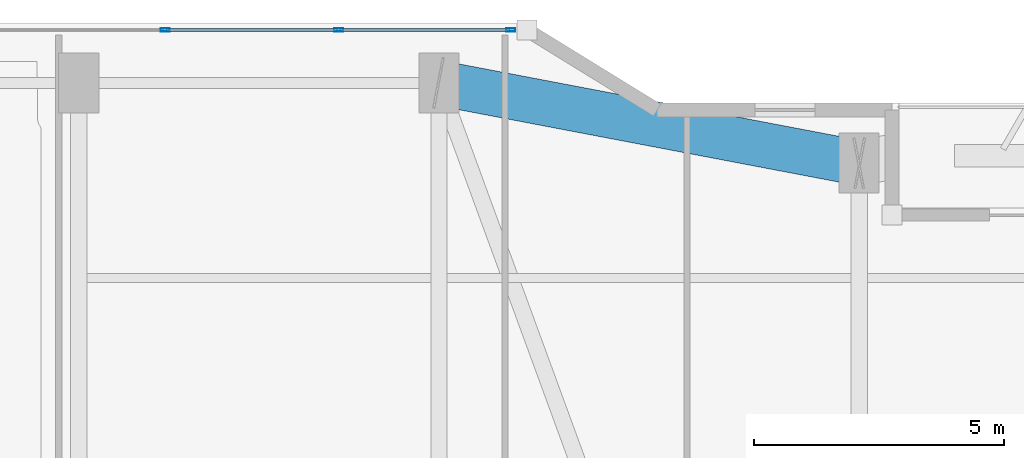
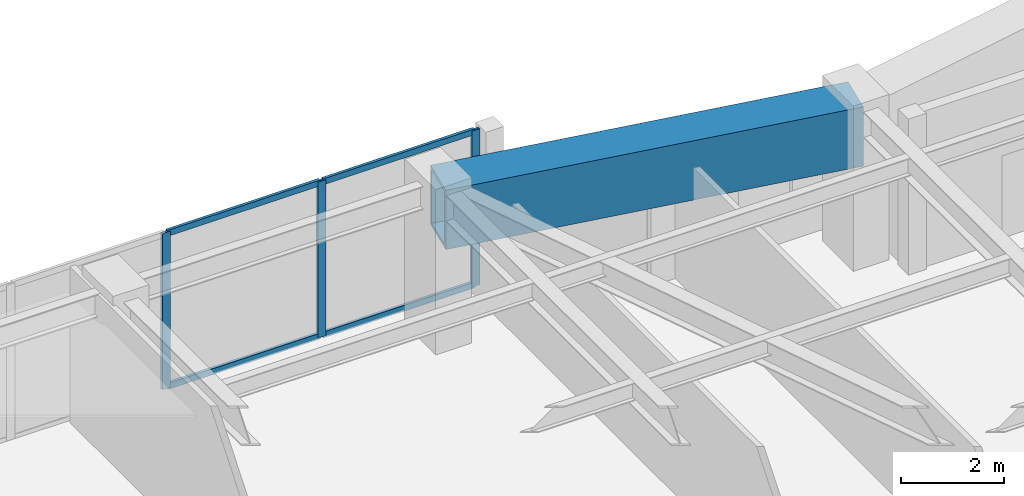
# One storey, part 19 of 30: 7 members, 1 beam, 1 element without a shape of its own.
"""IFC4 building model written with IfcOpenShell, lengths in metres."""

from ifc_helpers import new_model, si_unit, direction, frame, origin, origin_2d, place, context, subcontext, project, spatial, hollow_rectangle, extrude, material, layer, layer_set, material_profile, profile_set, type_object, element, aggregate, save


model = new_model("IFC4")

# Units and contexts
model_context = context("Model", 3, precision=1e-05, world=origin(), true_north=direction((0.0, 1.0)))
body_context = subcontext(model_context, "Body", "Model", "MODEL_VIEW")
ifc_project = project(units=[si_unit("LENGTHUNIT", "METRE"), si_unit("AREAUNIT", "SQUARE_METRE"), si_unit("VOLUMEUNIT", "CUBIC_METRE"), si_unit("PLANEANGLEUNIT", "RADIAN"), si_unit("MASSUNIT", "GRAM", prefix="KILO")], contexts=[model_context])

# Site, building, storey
site_placement = place(None, origin())
site = spatial("IfcSite", under=ifc_project, at=site_placement, CompositionType="ELEMENT")
building_placement = place(site_placement, origin())
building = spatial("IfcBuilding", under=site, at=building_placement, Name="Kiyonajd Concourse Tower", CompositionType="ELEMENT")
storey_placement = place(building_placement, frame((0.0, 0.0, 162.300048828125)))
storey = spatial("IfcBuildingStorey", under=building, at=storey_placement, Name="L41", CompositionType="ELEMENT", Elevation=162.300048828125)

# Beam
ifc_material_1 = material(Name="Steel ASTM A572 Grade 50", Category="steel")
ifc_material_profile_1 = material_profile(ifc_material_1, hollow_rectangle(XDim=0.89990234375, YDim=1.39990234375, WallThickness=0.070068359375, at=origin_2d()), Name="BOX-1400x900x70")
ifc_profile_set_1 = profile_set([ifc_material_profile_1], Name="Steel ASTM A572 Grade 50")
beam_type = type_object("IfcBeamType", Name="BM-XFER-1400", PredefinedType="BEAM", material=ifc_profile_set_1)
beam_placement = place(storey_placement, frame((48.0, 59.60009765625, 2.97998046875), z_axis=(-0.982341315253, 0.187097675953, 0.0), x_axis=(-0.187097675953, -0.982341315253, 0.0)))
element("IfcBeam", 1, at=beam_placement, inside=storey, type_object=beam_type, Name="L41 Perimeter Bundled Tube Spandrel", PredefinedType="BEAM", context=body_context, shape_type="SweptSolid", body=[
    extrude(hollow_rectangle(XDim=0.89990234375, YDim=1.39990234375, WallThickness=0.070068359375, at=origin_2d()), origin(), (0.0, 0.0, 1.0), 8.55078125),
])

# Curtain wall, members
ifc_material_2 = material(Name="Thermally Broken Anodised Aluminium", Category="aluminium")
ifc_layer = layer(ifc_material_2, 0.179931640625)
ifc_layer_set = layer_set([ifc_layer], Name="Thermally Broken Anodised Aluminium")
curtain_wall_type = type_object("IfcCurtainWallType", Name="CW-SYS-03", PredefinedType="NOTDEFINED", material=ifc_layer_set)
curtain_wall_placement = place(storey_placement, origin())
curtain_wall = element("IfcCurtainWall", 2, at=curtain_wall_placement, inside=storey, type_object=curtain_wall_type, Name="L41 Unitised Curtain Wall CW3", PredefinedType="NOTDEFINED")
ifc_material_profile_2 = material_profile(ifc_material_2, hollow_rectangle(XDim=0.06494140625, YDim=0.179931640625, WallThickness=0.00390625, at=origin_2d()), Name="MULL-65x180")
ifc_profile_set_2 = profile_set([ifc_material_profile_2], Name="Thermally Broken Anodised Aluminium")
member_type_1 = type_object("IfcMemberType", Name="MB-CW-MULL1", PredefinedType="MULLION", material=ifc_profile_set_2)
member_1_placement = place(storey_placement, frame((34.12548828125, 62.260009765625, 0.0), z_axis=(0.0, 0.0, 1.0), x_axis=(0.0, 1.0, 0.0)))
member_1 = element("IfcMember", 3, at=member_1_placement, type_object=member_type_1, Name="CW3 mullion 4", PredefinedType="MULLION", context=body_context, shape_type="SweptSolid", body=[
    extrude(hollow_rectangle(XDim=0.06494140625, YDim=0.179931640625, WallThickness=0.00390625, at=origin_2d()), origin(), (0.0, 0.0, 1.0), 3.679931640625),
])
member_2_placement = place(storey_placement, frame((37.597900390625, 62.260009765625, 0.0), z_axis=(0.0, 0.0, 1.0), x_axis=(0.0, 1.0, 0.0)))
member_2 = element("IfcMember", 4, at=member_2_placement, type_object=member_type_1, Name="CW3 mullion 5", PredefinedType="MULLION", context=body_context, shape_type="SweptSolid", body=[
    extrude(hollow_rectangle(XDim=0.06494140625, YDim=0.179931640625, WallThickness=0.00390625, at=origin_2d()), origin(), (0.0, 0.0, 1.0), 3.679931640625),
])
member_3_placement = place(storey_placement, frame((41.037841796875, 62.260009765625, 0.0), z_axis=(0.0, 0.0, 1.0), x_axis=(0.0, 1.0, 0.0)))
member_3 = element("IfcMember", 5, at=member_3_placement, type_object=member_type_1, Name="CW3 mullion 6", PredefinedType="MULLION", context=body_context, shape_type="SweptSolid", body=[
    extrude(hollow_rectangle(XDim=0.06494140625, YDim=0.179931640625, WallThickness=0.00390625, at=origin_2d()), origin(), (0.0, 0.0, 1.0), 3.679931640625),
])
ifc_material_profile_3 = material_profile(ifc_material_2, hollow_rectangle(XDim=0.06494140625, YDim=0.139892578125, WallThickness=0.00390625, at=origin_2d()), Name="TRAN-65x140")
ifc_profile_set_3 = profile_set([ifc_material_profile_3], Name="Thermally Broken Anodised Aluminium")
member_type_2 = type_object("IfcMemberType", Name="MB-CW-TRAN1", PredefinedType="USERDEFINED", material=ifc_profile_set_3)
member_4_placement = place(storey_placement, frame((34.158203125, 62.260009765625, 0.032470703125), z_axis=(1.0, 0.0, 0.0), x_axis=(0.0, 1.0, 0.0)))
member_4 = element("IfcMember", 6, at=member_4_placement, type_object=member_type_2, Name="CW3 transom 4.1", ObjectType="TRANSOM", PredefinedType="USERDEFINED", context=body_context, shape_type="SweptSolid", body=[
    extrude(hollow_rectangle(XDim=0.06494140625, YDim=0.139892578125, WallThickness=0.00390625, at=origin_2d()), origin(), (0.0, 0.0, 1.0), 3.4072265625),
])
member_5_placement = place(storey_placement, frame((34.158203125, 62.260009765625, 3.6474609375), z_axis=(1.0, 0.0, 0.0), x_axis=(0.0, 1.0, 0.0)))
member_5 = element("IfcMember", 7, at=member_5_placement, type_object=member_type_2, Name="CW3 transom 4.2", ObjectType="TRANSOM", PredefinedType="USERDEFINED", context=body_context, shape_type="SweptSolid", body=[
    extrude(hollow_rectangle(XDim=0.06494140625, YDim=0.139892578125, WallThickness=0.00390625, at=origin_2d()), origin(), (0.0, 0.0, 1.0), 3.4072265625),
])
member_6_placement = place(storey_placement, frame((37.630615234375, 62.260009765625, 0.032470703125), z_axis=(1.0, 0.0, 0.0), x_axis=(0.0, 1.0, 0.0)))
member_6 = element("IfcMember", 8, at=member_6_placement, type_object=member_type_2, Name="CW3 transom 5.1", ObjectType="TRANSOM", PredefinedType="USERDEFINED", context=body_context, shape_type="SweptSolid", body=[
    extrude(hollow_rectangle(XDim=0.06494140625, YDim=0.139892578125, WallThickness=0.00390625, at=origin_2d()), origin(), (0.0, 0.0, 1.0), 3.374755859375),
])
member_7_placement = place(storey_placement, frame((37.630615234375, 62.260009765625, 3.6474609375), z_axis=(1.0, 0.0, 0.0), x_axis=(0.0, 1.0, 0.0)))
member_7 = element("IfcMember", 9, at=member_7_placement, type_object=member_type_2, Name="CW3 transom 5.2", ObjectType="TRANSOM", PredefinedType="USERDEFINED", context=body_context, shape_type="SweptSolid", body=[
    extrude(hollow_rectangle(XDim=0.06494140625, YDim=0.139892578125, WallThickness=0.00390625, at=origin_2d()), origin(), (0.0, 0.0, 1.0), 3.374755859375),
])
aggregate(curtain_wall, [member_1, member_2, member_3, member_4, member_5, member_6, member_7])

save(model, "model.ifc")
